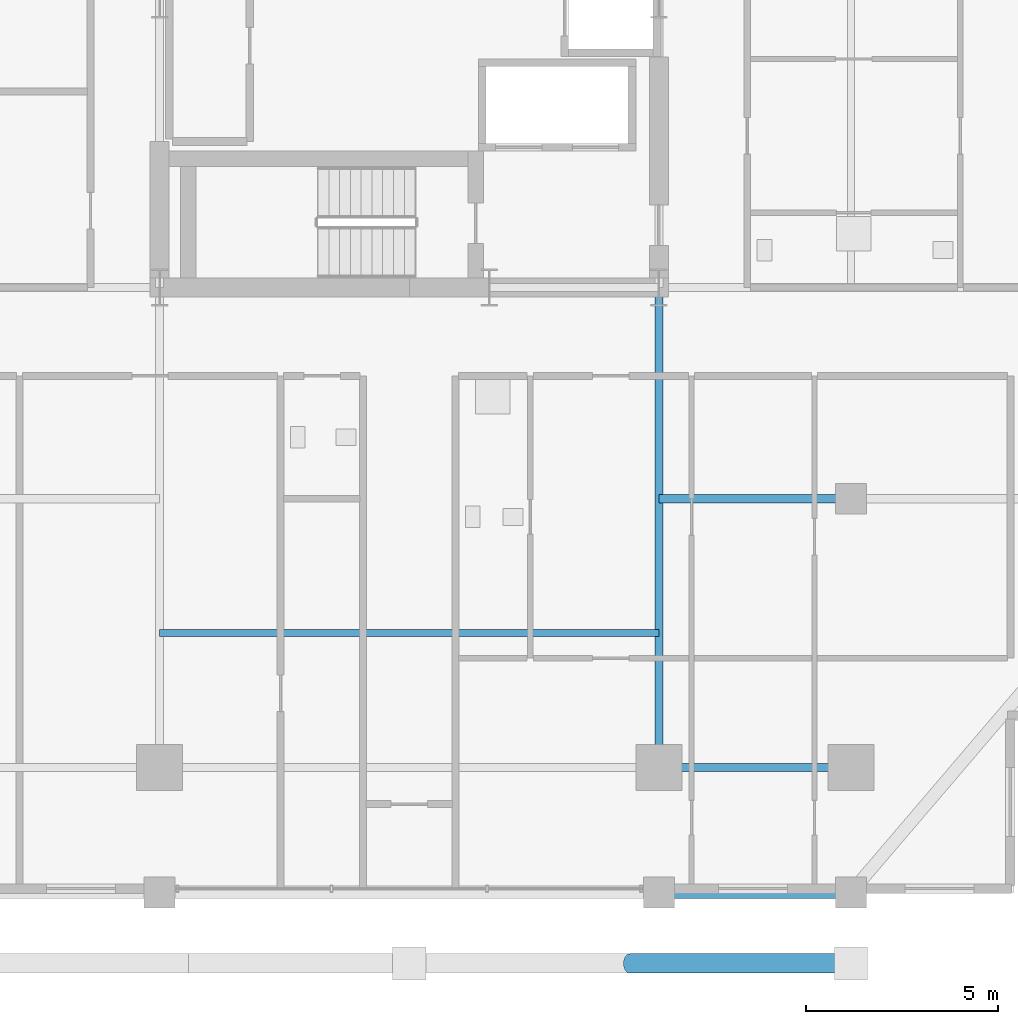
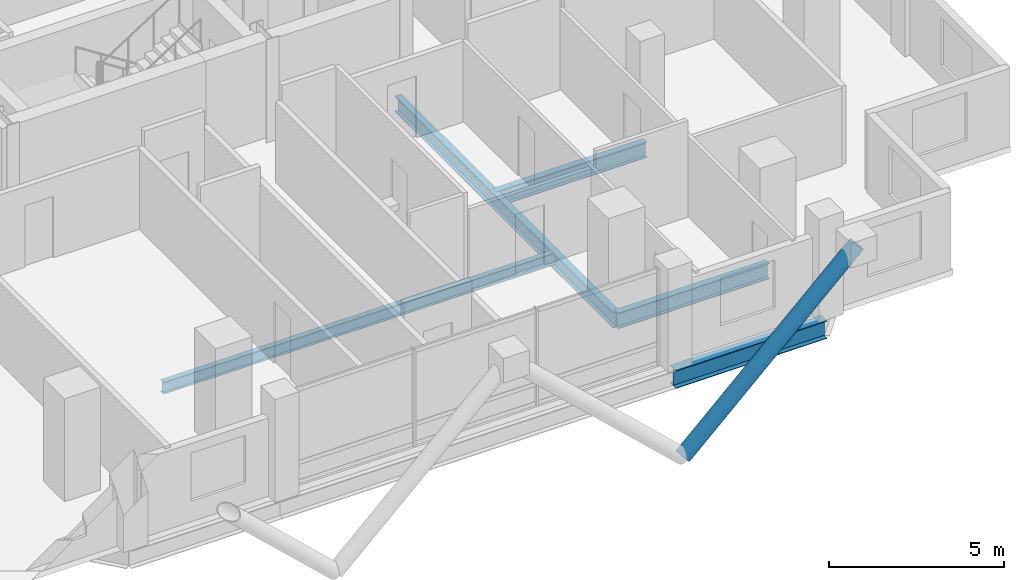
# One storey, part 3 of 23: 5 beams, 1 member.
"""IFC4 building model written with IfcOpenShell, lengths in metres."""

from ifc_helpers import new_model, si_unit, direction, frame, origin, origin_2d, place, context, subcontext, project, spatial, hollow_circle, i_section, extrude, material, material_profile, profile_set, type_object, element, save


model = new_model("IFC4")

# Units and contexts
model_context = context("Model", 3, precision=1e-05, world=origin(), true_north=direction((0.0, 1.0)))
body_context = subcontext(model_context, "Body", "Model", "MODEL_VIEW")
ifc_project = project(units=[si_unit("LENGTHUNIT", "METRE"), si_unit("AREAUNIT", "SQUARE_METRE"), si_unit("VOLUMEUNIT", "CUBIC_METRE"), si_unit("PLANEANGLEUNIT", "RADIAN"), si_unit("MASSUNIT", "GRAM", prefix="KILO")], contexts=[model_context])

# Site, building, storey
site_placement = place(None, origin())
site = spatial("IfcSite", under=ifc_project, at=site_placement, CompositionType="ELEMENT")
building_placement = place(site_placement, origin())
building = spatial("IfcBuilding", under=site, at=building_placement, Name="Barlavira Tower and Art Museum", CompositionType="ELEMENT")
storey_placement = place(building_placement, frame((0.0, 0.0, 151.199951171875)))
storey = spatial("IfcBuildingStorey", under=building, at=storey_placement, Name="L38", CompositionType="ELEMENT", Elevation=151.199951171875)

# Member
ifc_material = material(Name="Steel S355", Category="steel")
ifc_material_profile_1 = material_profile(ifc_material, hollow_circle(Radius=0.25390625, WallThickness=0.022216796875, at=origin_2d()), Name="CHS 508.0x22.2")
ifc_profile_set_1 = profile_set([ifc_material_profile_1], Name="Steel S355")
member_type = type_object("IfcMemberType", Name="Pale-Metal Exoskeleton Diagrid Tube CHS 508x22 Steel S355", PredefinedType="BRACE", material=ifc_profile_set_1)
member_placement = place(storey_placement, frame((5.75, -25.10009765625, -1.919921875), z_axis=(0.728950095515, 0.0, 0.684566839869), x_axis=(0.0, 1.0, 0.0)))
element("IfcMember", 1, at=member_placement, inside=storey, type_object=member_type, Name="L38 Exoskeleton Diagrid Tube S", PredefinedType="BRACE", context=body_context, shape_type="SweptSolid", body=[
    extrude(hollow_circle(Radius=0.25390625, WallThickness=0.022216796875, at=origin_2d()), origin(), (0.0, 0.0, 1.0), 7.887939453125),
])

# Beams
ifc_material_profile_2 = material_profile(ifc_material, i_section(OverallWidth=0.327880859375, OverallDepth=0.62890625, WebThickness=0.013916015625, FlangeThickness=0.021484375, at=origin_2d()), Name="W610x174.0")
ifc_profile_set_2 = profile_set([ifc_material_profile_2], Name="Steel S355")
beam_type_1 = type_object("IfcBeamType", Name="Perimeter Spandrel Edge Beam W610x174 Steel S355", PredefinedType="SPANDREL", material=ifc_profile_set_2)
beam_1_placement = place(storey_placement, frame((6.5, -23.25, -0.534423828125), z_axis=(1.0, 0.0, 0.0), x_axis=(0.0, 1.0, 0.0)))
element("IfcBeam", 2, at=beam_1_placement, inside=storey, type_object=beam_type_1, Name="L38 Spandrel 3", PredefinedType="SPANDREL", context=body_context, shape_type="SweptSolid", body=[
    extrude(i_section(OverallWidth=0.327880859375, OverallDepth=0.62890625, WebThickness=0.013916015625, FlangeThickness=0.021484375, at=origin_2d()), origin(), (0.0, 0.0, 1.0), 5.0),
])
ifc_material_profile_3 = material_profile(ifc_material, i_section(OverallWidth=0.214111328125, OverallDepth=0.549072265625, WebThickness=0.0146484375, FlangeThickness=0.023681640625, at=origin_2d()), Name="W530x138.0")
ifc_profile_set_3 = profile_set([ifc_material_profile_3], Name="Steel S355")
beam_type_2 = type_object("IfcBeamType", Name="Zone 1 Primary Floor Girder W530x138 Steel S355", PredefinedType="BEAM", material=ifc_profile_set_3)
beam_2_placement = place(storey_placement, frame((6.5, -20.0, -0.494384765625), z_axis=(1.0, 0.0, 0.0), x_axis=(0.0, 1.0, 0.0)))
element("IfcBeam", 3, at=beam_2_placement, inside=storey, type_object=beam_type_2, Name="L38 Girder M-S3", PredefinedType="BEAM", context=body_context, shape_type="SweptSolid", body=[
    extrude(i_section(OverallWidth=0.214111328125, OverallDepth=0.549072265625, WebThickness=0.0146484375, FlangeThickness=0.023681640625, at=origin_2d()), origin(), (0.0, 0.0, 1.0), 5.0),
])
beam_3_placement = place(storey_placement, frame((6.5, -20.0, -0.494384765625), z_axis=(0.0, 1.0, 0.0), x_axis=(-1.0, 0.0, 0.0)))
element("IfcBeam", 4, at=beam_3_placement, inside=storey, type_object=beam_type_2, Name="L38 Girder R-S2", PredefinedType="BEAM", context=body_context, shape_type="SweptSolid", body=[
    extrude(i_section(OverallWidth=0.214111328125, OverallDepth=0.549072265625, WebThickness=0.0146484375, FlangeThickness=0.023681640625, at=origin_2d()), origin(), (0.0, 0.0, 1.0), 12.5),
])
beam_4_placement = place(storey_placement, frame((6.5, -13.0, -0.494384765625), z_axis=(1.0, 0.0, 0.0), x_axis=(0.0, 1.0, 0.0)))
element("IfcBeam", 5, at=beam_4_placement, inside=storey, type_object=beam_type_2, Name="L38 Girder I-S3", PredefinedType="BEAM", context=body_context, shape_type="SweptSolid", body=[
    extrude(i_section(OverallWidth=0.214111328125, OverallDepth=0.549072265625, WebThickness=0.0146484375, FlangeThickness=0.023681640625, at=origin_2d()), origin(), (0.0, 0.0, 1.0), 5.0),
])
ifc_material_profile_4 = material_profile(ifc_material, i_section(OverallWidth=0.179931640625, OverallDepth=0.4130859375, WebThickness=0.009765625, FlangeThickness=0.01611328125, at=origin_2d()), Name="W410x75.0")
ifc_profile_set_4 = profile_set([ifc_material_profile_4], Name="Steel S355")
beam_type_3 = type_object("IfcBeamType", Name="Zone 2 Composite Floor Joist W410x75 Steel S355", PredefinedType="JOIST", material=ifc_profile_set_4)
beam_5_placement = place(storey_placement, frame((-6.5, -16.5, -0.426513671875), z_axis=(1.0, 0.0, 0.0), x_axis=(0.0, 1.0, 0.0)))
element("IfcBeam", 6, at=beam_5_placement, inside=storey, type_object=beam_type_3, Name="L38 Joist C1", PredefinedType="JOIST", context=body_context, shape_type="SweptSolid", body=[
    extrude(i_section(OverallWidth=0.179931640625, OverallDepth=0.4130859375, WebThickness=0.009765625, FlangeThickness=0.01611328125, at=origin_2d()), origin(), (0.0, 0.0, 1.0), 13.0),
])

save(model, "model.ifc")
